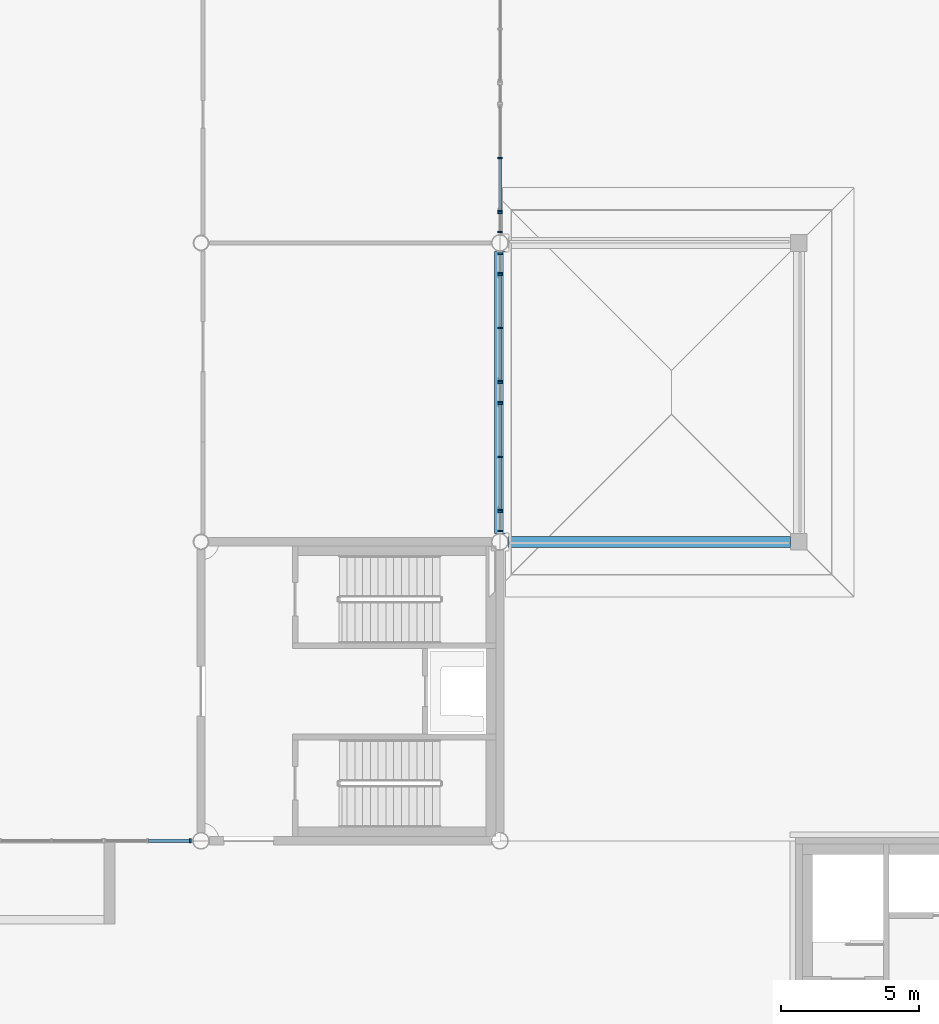
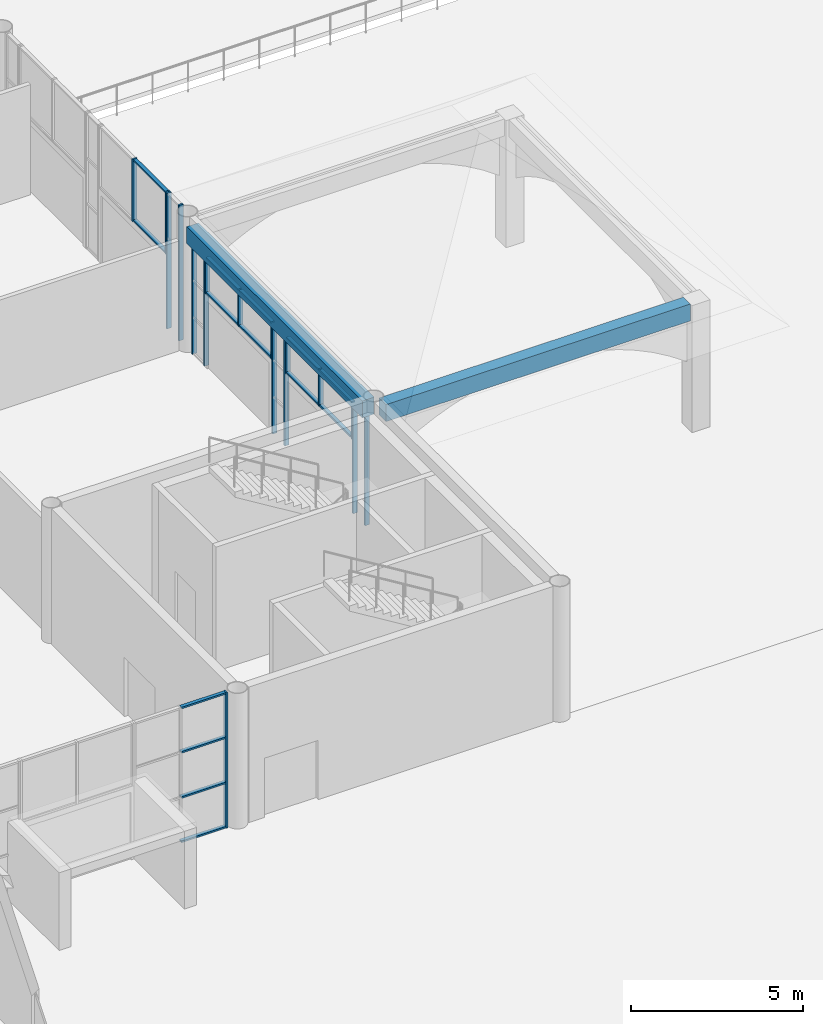
# One storey, part 21 of 91: 31 members, 2 beams, 8 elements without a shape of their own.
"""IFC4 building model written with IfcOpenShell, lengths in metres."""

from ifc_helpers import new_model, si_unit, direction, frame, origin, origin_2d, place, context, subcontext, project, spatial, rectangle, extrude, material, layer, layer_set, material_profile, profile_set, type_object, element, aggregate, save


model = new_model("IFC4")

# Units and contexts
model_context = context("Model", 3, precision=1e-05, world=origin(), true_north=direction((0.0, 1.0)))
body_context = subcontext(model_context, "Body", "Model", "MODEL_VIEW")
ifc_project = project(units=[si_unit("LENGTHUNIT", "METRE"), si_unit("AREAUNIT", "SQUARE_METRE"), si_unit("VOLUMEUNIT", "CUBIC_METRE"), si_unit("PLANEANGLEUNIT", "RADIAN"), si_unit("MASSUNIT", "GRAM", prefix="KILO")], contexts=[model_context])

# Site, building, storey
site_placement = place(None, origin())
site = spatial("IfcSite", under=ifc_project, at=site_placement, CompositionType="ELEMENT")
building_placement = place(site_placement, origin())
building = spatial("IfcBuilding", under=site, at=building_placement, Name="Magnolia Steps Interchange", CompositionType="ELEMENT")
storey_placement = place(building_placement, origin())
storey = spatial("IfcBuildingStorey", under=building, at=storey_placement, Name="L00", CompositionType="ELEMENT", Elevation=0.0)

# Curtain wall, member
ifc_material_1 = material(Name="Powder-coated aluminium and glass", Category="aluminium")
ifc_layer = layer(ifc_material_1, 0.14990234375)
ifc_layer_set = layer_set([ifc_layer], Name="Glazed hall curtain wall")
curtain_wall_type = type_object("IfcCurtainWallType", Name="Glazed hall curtain wall", PredefinedType="NOTDEFINED", material=ifc_layer_set)
curtain_wall_1_placement = place(storey_placement, origin())
curtain_wall_1 = element("IfcCurtainWall", 1, at=curtain_wall_1_placement, inside=storey, type_object=curtain_wall_type, Name="Hall glazing S5z L00", PredefinedType="NOTDEFINED")
ifc_material_2 = material(Name="White powder-coated aluminium", Category="aluminium")
ifc_material_profile_1 = material_profile(ifc_material_2, rectangle(XDim=0.06005859375, YDim=0.14990234375, at=origin_2d()), Name="Aluminium mullion 60 x 150")
ifc_profile_set_1 = profile_set([ifc_material_profile_1], Name="White powder-coated aluminium")
member_type_1 = type_object("IfcMemberType", Name="Aluminium mullion 60 x 150", PredefinedType="MULLION", material=ifc_profile_set_1)
member_1_placement = place(storey_placement, frame((106.81005859375, 42.39990234375, 0.0), z_axis=(0.0, 0.0, 1.0), x_axis=(1.0, 0.0, 0.0)))
member_1 = element("IfcMember", 2, at=member_1_placement, type_object=member_type_1, Name="CW1 mullion 3", PredefinedType="MULLION", context=body_context, shape_type="SweptSolid", body=[
    extrude(rectangle(XDim=0.06005859375, YDim=0.14990234375, at=origin_2d()), origin(), (0.0, 0.0, 1.0), 4.800048828125),
])

# Curtain wall, members
curtain_wall_2_placement = place(storey_placement, origin())
curtain_wall_2 = element("IfcCurtainWall", 3, at=curtain_wall_2_placement, inside=storey, type_object=curtain_wall_type, Name="Hall glazing E2a L00", PredefinedType="NOTDEFINED")
member_2_placement = place(storey_placement, frame((118.0, 53.590087890625, 0.0), z_axis=(0.0, 0.0, 1.0), x_axis=(0.0, 1.0, 0.0)))
member_2 = element("IfcMember", 4, at=member_2_placement, type_object=member_type_1, Name="CW1 mullion 1", PredefinedType="MULLION", context=body_context, shape_type="SweptSolid", body=[
    extrude(rectangle(XDim=0.06005859375, YDim=0.14990234375, at=origin_2d()), origin(), (0.0, 0.0, 1.0), 3.89990234375),
])
member_3_placement = place(storey_placement, frame((118.0, 54.2900390625, 0.0), z_axis=(0.0, 0.0, 1.0), x_axis=(0.0, 1.0, 0.0)))
member_3 = element("IfcMember", 5, at=member_3_placement, type_object=member_type_1, Name="CW1 mullion 2", PredefinedType="MULLION", context=body_context, shape_type="SweptSolid", body=[
    extrude(rectangle(XDim=0.06005859375, YDim=0.14990234375, at=origin_2d()), origin(), (0.0, 0.0, 1.0), 3.89990234375),
])
aggregate(curtain_wall_2, [member_2, member_3])

curtain_wall_3_placement = place(storey_placement, origin())
curtain_wall_3 = element("IfcCurtainWall", 6, at=curtain_wall_3_placement, inside=storey, type_object=curtain_wall_type, Name="Hall entrance fanlight E2-1", PredefinedType="NOTDEFINED")
member_4_placement = place(storey_placement, frame((118.0, 54.35009765625, 2.60009765625), z_axis=(0.0, 0.0, 1.0), x_axis=(0.0, 1.0, 0.0)))
member_4 = element("IfcMember", 7, at=member_4_placement, type_object=member_type_1, Name="CW1 mullion 1", PredefinedType="MULLION", context=body_context, shape_type="SweptSolid", body=[
    extrude(rectangle(XDim=0.06005859375, YDim=0.14990234375, at=origin_2d()), origin(), (0.0, 0.0, 1.0), 1.2998046875),
])
member_5_placement = place(storey_placement, frame((118.0, 56.27001953125, 2.60009765625), z_axis=(0.0, 0.0, 1.0), x_axis=(0.0, 1.0, 0.0)))
member_5 = element("IfcMember", 8, at=member_5_placement, type_object=member_type_1, Name="CW1 mullion 2", PredefinedType="MULLION", context=body_context, shape_type="SweptSolid", body=[
    extrude(rectangle(XDim=0.06005859375, YDim=0.14990234375, at=origin_2d()), origin(), (0.0, 0.0, 1.0), 1.2998046875),
])
member_6_placement = place(storey_placement, frame((118.0, 58.18994140625, 2.60009765625), z_axis=(0.0, 0.0, 1.0), x_axis=(0.0, 1.0, 0.0)))
member_6 = element("IfcMember", 9, at=member_6_placement, type_object=member_type_1, Name="CW1 mullion 3", PredefinedType="MULLION", context=body_context, shape_type="SweptSolid", body=[
    extrude(rectangle(XDim=0.06005859375, YDim=0.14990234375, at=origin_2d()), origin(), (0.0, 0.0, 1.0), 1.2998046875),
])

curtain_wall_4_placement = place(storey_placement, origin())
curtain_wall_4 = element("IfcCurtainWall", 10, at=curtain_wall_4_placement, inside=storey, type_object=curtain_wall_type, Name="Hall glazing E2b L00", PredefinedType="NOTDEFINED")
member_7_placement = place(storey_placement, frame((118.0, 58.25, 0.0), z_axis=(0.0, 0.0, 1.0), x_axis=(0.0, 1.0, 0.0)))
member_7 = element("IfcMember", 11, at=member_7_placement, type_object=member_type_1, Name="CW1 mullion 1", PredefinedType="MULLION", context=body_context, shape_type="SweptSolid", body=[
    extrude(rectangle(XDim=0.06005859375, YDim=0.14990234375, at=origin_2d()), origin(), (0.0, 0.0, 1.0), 3.89990234375),
])
member_8_placement = place(storey_placement, frame((118.0, 58.949951171875, 0.0), z_axis=(0.0, 0.0, 1.0), x_axis=(0.0, 1.0, 0.0)))
member_8 = element("IfcMember", 12, at=member_8_placement, type_object=member_type_1, Name="CW1 mullion 2", PredefinedType="MULLION", context=body_context, shape_type="SweptSolid", body=[
    extrude(rectangle(XDim=0.06005859375, YDim=0.14990234375, at=origin_2d()), origin(), (0.0, 0.0, 1.0), 3.89990234375),
])
aggregate(curtain_wall_4, [member_7, member_8])

curtain_wall_5_placement = place(storey_placement, origin())
curtain_wall_5 = element("IfcCurtainWall", 13, at=curtain_wall_5_placement, inside=storey, type_object=curtain_wall_type, Name="Hall entrance fanlight E2-2", PredefinedType="NOTDEFINED")
member_9_placement = place(storey_placement, frame((118.0, 59.010009765625, 2.60009765625), z_axis=(0.0, 0.0, 1.0), x_axis=(0.0, 1.0, 0.0)))
member_9 = element("IfcMember", 14, at=member_9_placement, type_object=member_type_1, Name="CW1 mullion 1", PredefinedType="MULLION", context=body_context, shape_type="SweptSolid", body=[
    extrude(rectangle(XDim=0.06005859375, YDim=0.14990234375, at=origin_2d()), origin(), (0.0, 0.0, 1.0), 1.2998046875),
])
member_10_placement = place(storey_placement, frame((118.0, 60.929931640625, 2.60009765625), z_axis=(0.0, 0.0, 1.0), x_axis=(0.0, 1.0, 0.0)))
member_10 = element("IfcMember", 15, at=member_10_placement, type_object=member_type_1, Name="CW1 mullion 2", PredefinedType="MULLION", context=body_context, shape_type="SweptSolid", body=[
    extrude(rectangle(XDim=0.06005859375, YDim=0.14990234375, at=origin_2d()), origin(), (0.0, 0.0, 1.0), 1.2998046875),
])
member_11_placement = place(storey_placement, frame((118.0, 62.85009765625, 2.60009765625), z_axis=(0.0, 0.0, 1.0), x_axis=(0.0, 1.0, 0.0)))
member_11 = element("IfcMember", 16, at=member_11_placement, type_object=member_type_1, Name="CW1 mullion 3", PredefinedType="MULLION", context=body_context, shape_type="SweptSolid", body=[
    extrude(rectangle(XDim=0.06005859375, YDim=0.14990234375, at=origin_2d()), origin(), (0.0, 0.0, 1.0), 1.2998046875),
])

curtain_wall_6_placement = place(storey_placement, origin())
curtain_wall_6 = element("IfcCurtainWall", 17, at=curtain_wall_6_placement, inside=storey, type_object=curtain_wall_type, Name="Hall glazing E2z L00", PredefinedType="NOTDEFINED")
member_12_placement = place(storey_placement, frame((118.0, 62.909912109375, 0.0), z_axis=(0.0, 0.0, 1.0), x_axis=(0.0, 1.0, 0.0)))
member_12 = element("IfcMember", 18, at=member_12_placement, type_object=member_type_1, Name="CW1 mullion 1", PredefinedType="MULLION", context=body_context, shape_type="SweptSolid", body=[
    extrude(rectangle(XDim=0.06005859375, YDim=0.14990234375, at=origin_2d()), origin(), (0.0, 0.0, 1.0), 3.89990234375),
])
member_13_placement = place(storey_placement, frame((118.0, 63.610107421875, 0.0), z_axis=(0.0, 0.0, 1.0), x_axis=(0.0, 1.0, 0.0)))
member_13 = element("IfcMember", 19, at=member_13_placement, type_object=member_type_1, Name="CW1 mullion 2", PredefinedType="MULLION", context=body_context, shape_type="SweptSolid", body=[
    extrude(rectangle(XDim=0.06005859375, YDim=0.14990234375, at=origin_2d()), origin(), (0.0, 0.0, 1.0), 3.89990234375),
])
aggregate(curtain_wall_6, [member_12, member_13])

curtain_wall_7_placement = place(storey_placement, origin())
curtain_wall_7 = element("IfcCurtainWall", 20, at=curtain_wall_7_placement, inside=storey, type_object=curtain_wall_type, Name="Hall glazing E3a L00", PredefinedType="NOTDEFINED")
member_14_placement = place(storey_placement, frame((118.0, 64.389892578125, 0.0), z_axis=(0.0, 0.0, 1.0), x_axis=(0.0, 1.0, 0.0)))
member_14 = element("IfcMember", 21, at=member_14_placement, type_object=member_type_1, Name="CW1 mullion 1", PredefinedType="MULLION", context=body_context, shape_type="SweptSolid", body=[
    extrude(rectangle(XDim=0.06005859375, YDim=0.14990234375, at=origin_2d()), origin(), (0.0, 0.0, 1.0), 4.800048828125),
])
member_15_placement = place(storey_placement, frame((118.0, 65.090087890625, 0.0), z_axis=(0.0, 0.0, 1.0), x_axis=(0.0, 1.0, 0.0)))
member_15 = element("IfcMember", 22, at=member_15_placement, type_object=member_type_1, Name="CW1 mullion 2", PredefinedType="MULLION", context=body_context, shape_type="SweptSolid", body=[
    extrude(rectangle(XDim=0.06005859375, YDim=0.14990234375, at=origin_2d()), origin(), (0.0, 0.0, 1.0), 4.800048828125),
])
aggregate(curtain_wall_7, [member_14, member_15])

curtain_wall_8_placement = place(storey_placement, origin())
curtain_wall_8 = element("IfcCurtainWall", 23, at=curtain_wall_8_placement, inside=storey, type_object=curtain_wall_type, Name="Hall entrance fanlight E3-1", PredefinedType="NOTDEFINED")
member_16_placement = place(storey_placement, frame((118.0, 65.14990234375, 2.60009765625), z_axis=(0.0, 0.0, 1.0), x_axis=(0.0, 1.0, 0.0)))
member_16 = element("IfcMember", 24, at=member_16_placement, type_object=member_type_1, Name="CW1 mullion 1", PredefinedType="MULLION", context=body_context, shape_type="SweptSolid", body=[
    extrude(rectangle(XDim=0.06005859375, YDim=0.14990234375, at=origin_2d()), origin(), (0.0, 0.0, 1.0), 2.199951171875),
])
member_17_placement = place(storey_placement, frame((118.0, 67.070068359375, 2.60009765625), z_axis=(0.0, 0.0, 1.0), x_axis=(0.0, 1.0, 0.0)))
member_17 = element("IfcMember", 25, at=member_17_placement, type_object=member_type_1, Name="CW1 mullion 2", PredefinedType="MULLION", context=body_context, shape_type="SweptSolid", body=[
    extrude(rectangle(XDim=0.06005859375, YDim=0.14990234375, at=origin_2d()), origin(), (0.0, 0.0, 1.0), 2.199951171875),
])

# Member
ifc_material_3 = material(Name="White powder-coated aluminium", Category="aluminium")
ifc_material_profile_2 = material_profile(ifc_material_3, rectangle(XDim=0.06005859375, YDim=0.1201171875, at=origin_2d()), Name="Aluminium transom 60 x 120")
ifc_profile_set_2 = profile_set([ifc_material_profile_2], Name="White powder-coated aluminium")
member_type_2 = type_object("IfcMemberType", Name="Aluminium transom 60 x 120", PredefinedType="USERDEFINED", material=ifc_profile_set_2)
member_18_placement = place(storey_placement, frame((105.300048828125, 42.39990234375, 0.030029296875), z_axis=(1.0, 0.0, 0.0), x_axis=(0.0, 0.0, 1.0)))
member_18 = element("IfcMember", 26, at=member_18_placement, type_object=member_type_2, Name="CW1 transom 2.1", ObjectType="TRANSOM", PredefinedType="USERDEFINED", context=body_context, shape_type="SweptSolid", body=[
    extrude(rectangle(XDim=0.06005859375, YDim=0.1201171875, at=origin_2d()), origin(), (0.0, 0.0, 1.0), 1.47998046875),
])

member_19_placement = place(storey_placement, frame((105.300048828125, 42.39990234375, 1.60009765625), z_axis=(1.0, 0.0, 0.0), x_axis=(0.0, 0.0, 1.0)))
member_19 = element("IfcMember", 27, at=member_19_placement, type_object=member_type_2, Name="CW1 transom 2.2", ObjectType="TRANSOM", PredefinedType="USERDEFINED", context=body_context, shape_type="SweptSolid", body=[
    extrude(rectangle(XDim=0.06005859375, YDim=0.1201171875, at=origin_2d()), origin(), (0.0, 0.0, 1.0), 1.47998046875),
])

member_20_placement = place(storey_placement, frame((105.300048828125, 42.39990234375, 3.199951171875), z_axis=(1.0, 0.0, 0.0), x_axis=(0.0, 0.0, 1.0)))
member_20 = element("IfcMember", 28, at=member_20_placement, type_object=member_type_2, Name="CW1 transom 2.3", ObjectType="TRANSOM", PredefinedType="USERDEFINED", context=body_context, shape_type="SweptSolid", body=[
    extrude(rectangle(XDim=0.06005859375, YDim=0.1201171875, at=origin_2d()), origin(), (0.0, 0.0, 1.0), 1.47998046875),
])

member_21_placement = place(storey_placement, frame((105.300048828125, 42.39990234375, 4.77001953125), z_axis=(1.0, 0.0, 0.0), x_axis=(0.0, 0.0, 1.0)))
member_21 = element("IfcMember", 29, at=member_21_placement, type_object=member_type_2, Name="CW1 transom 2.4", ObjectType="TRANSOM", PredefinedType="USERDEFINED", context=body_context, shape_type="SweptSolid", body=[
    extrude(rectangle(XDim=0.06005859375, YDim=0.1201171875, at=origin_2d()), origin(), (0.0, 0.0, 1.0), 1.47998046875),
])

aggregate(curtain_wall_1, [member_1, member_18, member_19, member_20, member_21])

member_22_placement = place(storey_placement, frame((118.0, 54.3798828125, 2.6298828125), z_axis=(0.0, 1.0, 0.0), x_axis=(0.0, 0.0, 1.0)))
member_22 = element("IfcMember", 30, at=member_22_placement, type_object=member_type_2, Name="CW1 transom 1.1", ObjectType="TRANSOM", PredefinedType="USERDEFINED", context=body_context, shape_type="SweptSolid", body=[
    extrude(rectangle(XDim=0.06005859375, YDim=0.1201171875, at=origin_2d()), origin(), (0.0, 0.0, 1.0), 1.860107421875),
])

member_23_placement = place(storey_placement, frame((118.0, 54.3798828125, 3.8701171875), z_axis=(0.0, 1.0, 0.0), x_axis=(0.0, 0.0, 1.0)))
member_23 = element("IfcMember", 31, at=member_23_placement, type_object=member_type_2, Name="CW1 transom 1.2", ObjectType="TRANSOM", PredefinedType="USERDEFINED", context=body_context, shape_type="SweptSolid", body=[
    extrude(rectangle(XDim=0.06005859375, YDim=0.1201171875, at=origin_2d()), origin(), (0.0, 0.0, 1.0), 1.860107421875),
])

member_24_placement = place(storey_placement, frame((118.0, 56.300048828125, 2.6298828125), z_axis=(0.0, 1.0, 0.0), x_axis=(0.0, 0.0, 1.0)))
member_24 = element("IfcMember", 32, at=member_24_placement, type_object=member_type_2, Name="CW1 transom 2.1", ObjectType="TRANSOM", PredefinedType="USERDEFINED", context=body_context, shape_type="SweptSolid", body=[
    extrude(rectangle(XDim=0.06005859375, YDim=0.1201171875, at=origin_2d()), origin(), (0.0, 0.0, 1.0), 1.85986328125),
])

member_25_placement = place(storey_placement, frame((118.0, 56.300048828125, 3.8701171875), z_axis=(0.0, 1.0, 0.0), x_axis=(0.0, 0.0, 1.0)))
member_25 = element("IfcMember", 33, at=member_25_placement, type_object=member_type_2, Name="CW1 transom 2.2", ObjectType="TRANSOM", PredefinedType="USERDEFINED", context=body_context, shape_type="SweptSolid", body=[
    extrude(rectangle(XDim=0.06005859375, YDim=0.1201171875, at=origin_2d()), origin(), (0.0, 0.0, 1.0), 1.85986328125),
])

aggregate(curtain_wall_3, [member_4, member_5, member_6, member_22, member_23, member_24, member_25])

member_26_placement = place(storey_placement, frame((118.0, 59.0400390625, 2.6298828125), z_axis=(0.0, 1.0, 0.0), x_axis=(0.0, 0.0, 1.0)))
member_26 = element("IfcMember", 34, at=member_26_placement, type_object=member_type_2, Name="CW1 transom 1.1", ObjectType="TRANSOM", PredefinedType="USERDEFINED", context=body_context, shape_type="SweptSolid", body=[
    extrude(rectangle(XDim=0.06005859375, YDim=0.1201171875, at=origin_2d()), origin(), (0.0, 0.0, 1.0), 1.85986328125),
])

member_27_placement = place(storey_placement, frame((118.0, 59.0400390625, 3.8701171875), z_axis=(0.0, 1.0, 0.0), x_axis=(0.0, 0.0, 1.0)))
member_27 = element("IfcMember", 35, at=member_27_placement, type_object=member_type_2, Name="CW1 transom 1.2", ObjectType="TRANSOM", PredefinedType="USERDEFINED", context=body_context, shape_type="SweptSolid", body=[
    extrude(rectangle(XDim=0.06005859375, YDim=0.1201171875, at=origin_2d()), origin(), (0.0, 0.0, 1.0), 1.85986328125),
])

member_28_placement = place(storey_placement, frame((118.0, 60.9599609375, 2.6298828125), z_axis=(0.0, 1.0, 0.0), x_axis=(0.0, 0.0, 1.0)))
member_28 = element("IfcMember", 36, at=member_28_placement, type_object=member_type_2, Name="CW1 transom 2.1", ObjectType="TRANSOM", PredefinedType="USERDEFINED", context=body_context, shape_type="SweptSolid", body=[
    extrude(rectangle(XDim=0.06005859375, YDim=0.1201171875, at=origin_2d()), origin(), (0.0, 0.0, 1.0), 1.860107421875),
])

member_29_placement = place(storey_placement, frame((118.0, 60.9599609375, 3.8701171875), z_axis=(0.0, 1.0, 0.0), x_axis=(0.0, 0.0, 1.0)))
member_29 = element("IfcMember", 37, at=member_29_placement, type_object=member_type_2, Name="CW1 transom 2.2", ObjectType="TRANSOM", PredefinedType="USERDEFINED", context=body_context, shape_type="SweptSolid", body=[
    extrude(rectangle(XDim=0.06005859375, YDim=0.1201171875, at=origin_2d()), origin(), (0.0, 0.0, 1.0), 1.860107421875),
])

aggregate(curtain_wall_5, [member_9, member_10, member_11, member_26, member_27, member_28, member_29])

member_30_placement = place(storey_placement, frame((118.0, 65.179931640625, 2.6298828125), z_axis=(0.0, 1.0, 0.0), x_axis=(0.0, 0.0, 1.0)))
member_30 = element("IfcMember", 38, at=member_30_placement, type_object=member_type_2, Name="CW1 transom 1.1", ObjectType="TRANSOM", PredefinedType="USERDEFINED", context=body_context, shape_type="SweptSolid", body=[
    extrude(rectangle(XDim=0.06005859375, YDim=0.1201171875, at=origin_2d()), origin(), (0.0, 0.0, 1.0), 1.860107421875),
])

member_31_placement = place(storey_placement, frame((118.0, 65.179931640625, 4.77001953125), z_axis=(0.0, 1.0, 0.0), x_axis=(0.0, 0.0, 1.0)))
member_31 = element("IfcMember", 39, at=member_31_placement, type_object=member_type_2, Name="CW1 transom 1.2", ObjectType="TRANSOM", PredefinedType="USERDEFINED", context=body_context, shape_type="SweptSolid", body=[
    extrude(rectangle(XDim=0.06005859375, YDim=0.1201171875, at=origin_2d()), origin(), (0.0, 0.0, 1.0), 1.860107421875),
])

aggregate(curtain_wall_8, [member_16, member_17, member_30, member_31])

# Beams
ifc_material_4 = material(Name="Concrete C40", Category="concrete")
ifc_material_profile_3 = material_profile(ifc_material_4, rectangle(XDim=0.39990234375, YDim=0.60009765625, at=origin_2d()), Name="RC400x600")
ifc_profile_set_3 = profile_set([ifc_material_profile_3], Name="Concrete C40")
beam_type = type_object("IfcBeamType", Name="RC beam 400x600", PredefinedType="BEAM", material=ifc_profile_set_3)
beam_1_placement = place(storey_placement, frame((118.304931640625, 53.199951171875, 4.199951171875), z_axis=(1.0, 0.0, 0.0), x_axis=(0.0, 1.0, 0.0)))
element("IfcBeam", 40, at=beam_1_placement, inside=storey, type_object=beam_type, Name="Portico eave beam E2", PredefinedType="BEAM", context=body_context, shape_type="SweptSolid", body=[
    extrude(rectangle(XDim=0.39990234375, YDim=0.60009765625, at=origin_2d()), origin(), (0.0, 0.0, 1.0), 10.195068359375),
])
beam_2_placement = place(storey_placement, frame((118.0, 63.695068359375, 4.199951171875), z_axis=(0.0, -1.0, 0.0), x_axis=(1.0, 0.0, 0.0)))
element("IfcBeam", 41, at=beam_2_placement, inside=storey, type_object=beam_type, Name="Portico eave beam E2", PredefinedType="BEAM", context=body_context, shape_type="SweptSolid", body=[
    extrude(rectangle(XDim=0.39990234375, YDim=0.60009765625, at=origin_2d()), origin(), (0.0, 0.0, 1.0), 10.190185546875),
])

save(model, "model.ifc")
